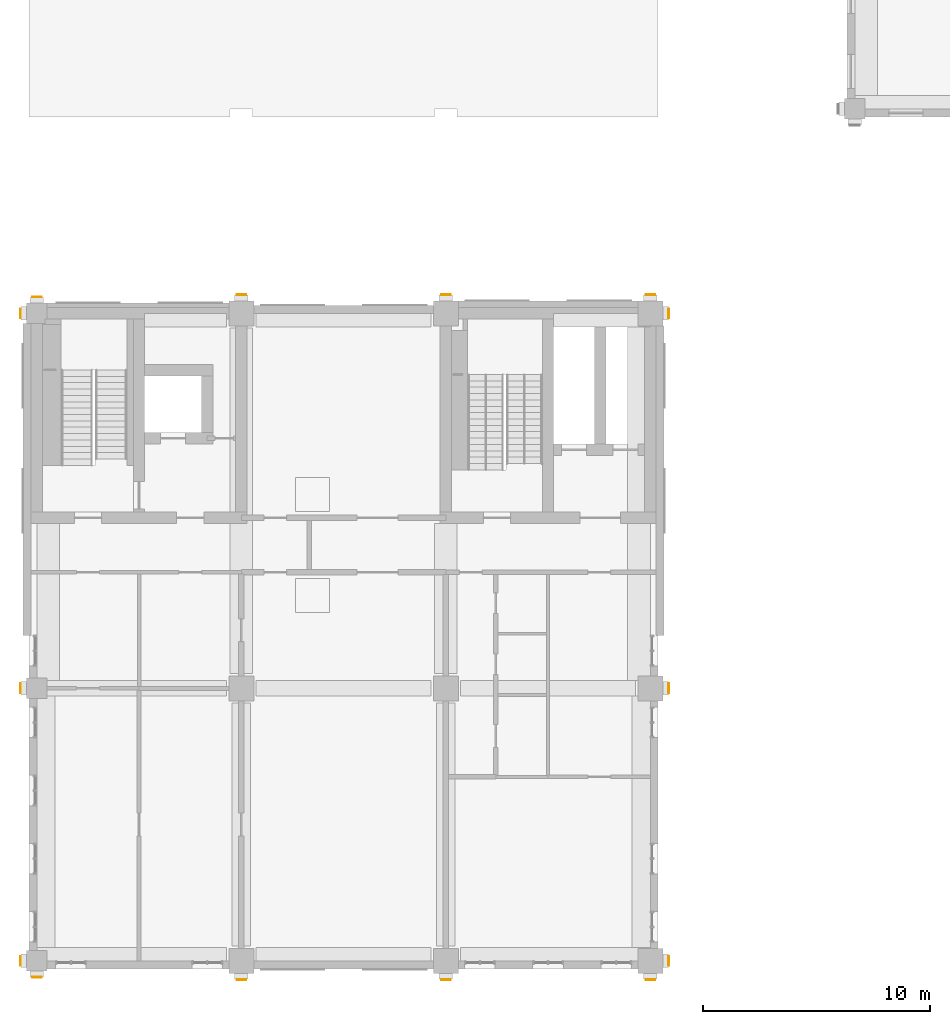
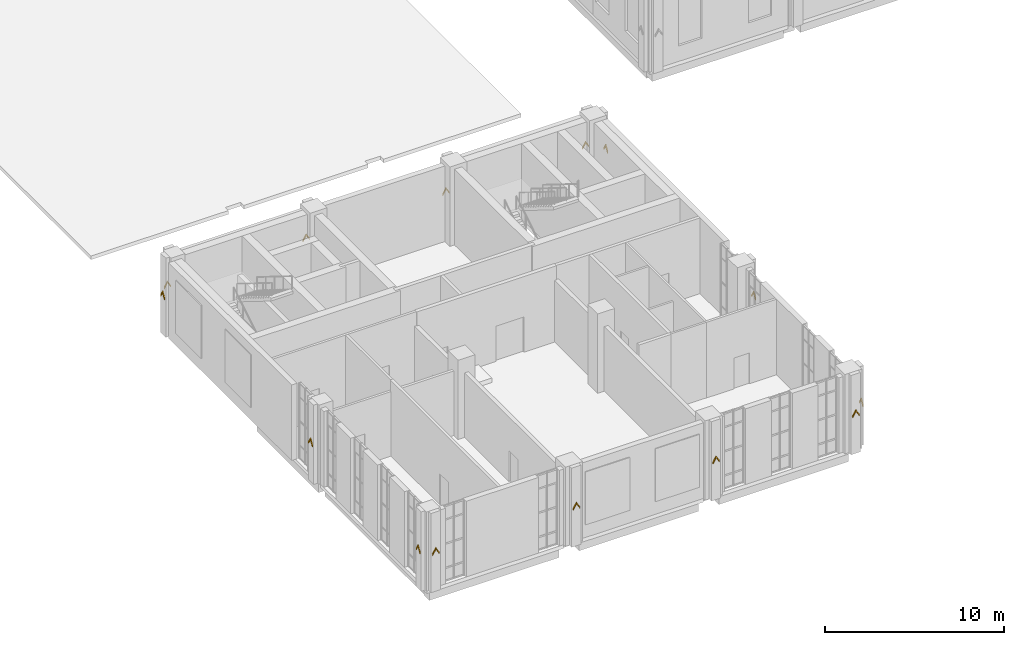
# One storey, part 32 of 33: 14 coverings.
"""IFC4 building model written with IfcOpenShell, lengths in metres."""

from ifc_helpers import new_model, si_unit, direction, frame, origin, place, context, subcontext, project, spatial, polyline, outline, extrude, material, layer, layer_set, type_object, element, save


model = new_model("IFC4")

# Units and contexts
model_context = context("Model", 3, precision=1e-05, world=origin(), true_north=direction((0.0, 1.0)))
body_context = subcontext(model_context, "Body", "Model", "MODEL_VIEW")
ifc_project = project(units=[si_unit("LENGTHUNIT", "METRE"), si_unit("AREAUNIT", "SQUARE_METRE"), si_unit("VOLUMEUNIT", "CUBIC_METRE"), si_unit("PLANEANGLEUNIT", "RADIAN"), si_unit("MASSUNIT", "GRAM", prefix="KILO")], contexts=[model_context])

# Site, building, storey
site_placement = place(None, origin())
site = spatial("IfcSite", under=ifc_project, at=site_placement, CompositionType="ELEMENT")
building_placement = place(site_placement, origin())
building = spatial("IfcBuilding", under=site, at=building_placement, Name="Aurelan Courthouse", CompositionType="ELEMENT")
storey_placement = place(building_placement, frame((0.0, 0.0, 22.800048828125)))
storey = spatial("IfcBuildingStorey", under=building, at=storey_placement, Name="L04", CompositionType="ELEMENT", Elevation=22.800048828125)

# Coverings
ifc_material = material(Name="Bronze sheet cladding")
ifc_layer = layer(ifc_material, 0.0400390625)
ifc_layer_set = layer_set([ifc_layer], Name="Bronze sheet cladding")
covering_type = type_object("IfcCoveringType", Name="Courts' Floors chevron relief 420 x 470", PredefinedType="CLADDING", material=ifc_layer_set)
for number, where, z_axis, x_axis, name in (
    (1, (0.0, -0.699951171875, -22.800048828125), (0.0, -1.0, 0.0), (1.0, 0.0, 0.0), "Chevron relief CH-V5-029"),
    (2, (9.0, -0.800048828125, -22.800048828125), (0.0, -1.0, 0.0), (1.0, 0.0, 0.0), "Chevron relief CH-V5-030"),
    (3, (18.0, -0.800048828125, -22.800048828125), (0.0, -1.0, 0.0), (1.0, 0.0, 0.0), "Chevron relief CH-V5-031"),
    (4, (27.0, -0.800048828125, -22.800048828125), (0.0, -1.0, 0.0), (1.0, 0.0, 0.0), "Chevron relief CH-V5-032"),
    (5, (0.0, 29.199951171875, -22.800048828125), (0.0, 1.0, 0.0), (-1.0, 0.0, 0.0), "Chevron relief CH-V5-033"),
    (6, (9.0, 29.300048828125, -22.800048828125), (0.0, 1.0, 0.0), (-1.0, 0.0, 0.0), "Chevron relief CH-V5-034"),
    (7, (18.0, 29.300048828125, -22.800048828125), (0.0, 1.0, 0.0), (-1.0, 0.0, 0.0), "Chevron relief CH-V5-035"),
    (8, (27.0, 29.300048828125, -22.800048828125), (0.0, 1.0, 0.0), (-1.0, 0.0, 0.0), "Chevron relief CH-V5-036"),
    (9, (27.800048828125, 0.0, -22.800048828125), (1.0, 0.0, 0.0), (0.0, 1.0, 0.0), "Chevron relief CH-V5-037"),
    (10, (27.800048828125, 12.0, -22.800048828125), (1.0, 0.0, 0.0), (0.0, 1.0, 0.0), "Chevron relief CH-V5-038"),
    (11, (27.800048828125, 28.5, -22.800048828125), (1.0, 0.0, 0.0), (0.0, 1.0, 0.0), "Chevron relief CH-V5-039"),
    (12, (-0.699951171875, 0.0, -22.800048828125), (-1.0, 0.0, 0.0), (0.0, -1.0, 0.0), "Chevron relief CH-V5-040"),
    (13, (-0.699951171875, 12.0, -22.800048828125), (-1.0, 0.0, 0.0), (0.0, -1.0, 0.0), "Chevron relief CH-V5-041"),
    (14, (-0.699951171875, 28.5, -22.800048828125), (-1.0, 0.0, 0.0), (0.0, -1.0, 0.0), "Chevron relief CH-V5-042"),
):
    element("IfcCovering", number, at=place(storey_placement, frame(where, z_axis=z_axis, x_axis=x_axis)), inside=storey, type_object=covering_type, Name=name, PredefinedType="CLADDING", context=body_context, shape_type="SweptSolid", body=[
        extrude(outline(polyline([(-0.2099609375, 25.324951171875), (0.0, 25.675048828125), (0.2099609375, 25.324951171875), (0.2099609375, 25.445068359375), (0.0, 25.794921875), (-0.2099609375, 25.445068359375), (-0.2099609375, 25.324951171875)])), origin(), (0.0, 0.0, 1.0), 0.0400390625),
    ])

save(model, "model.ifc")
